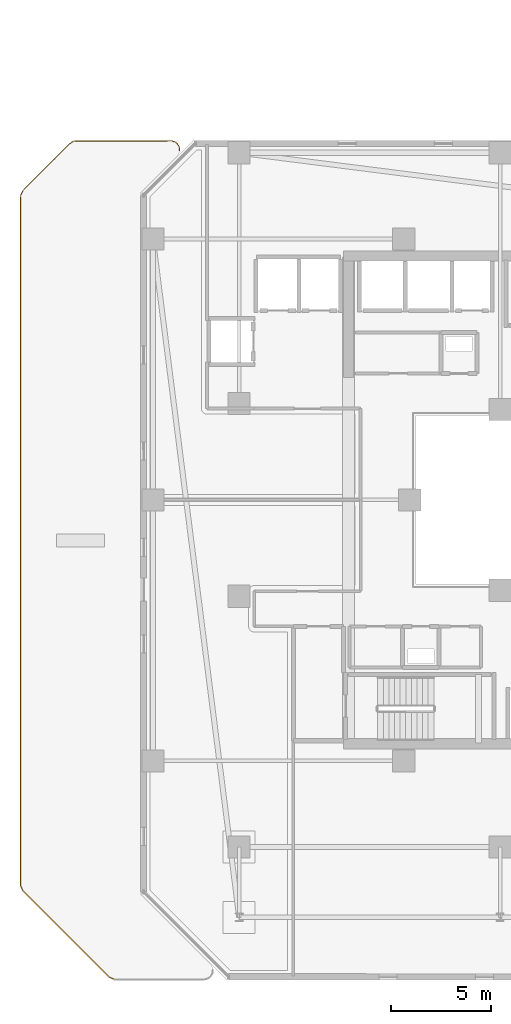
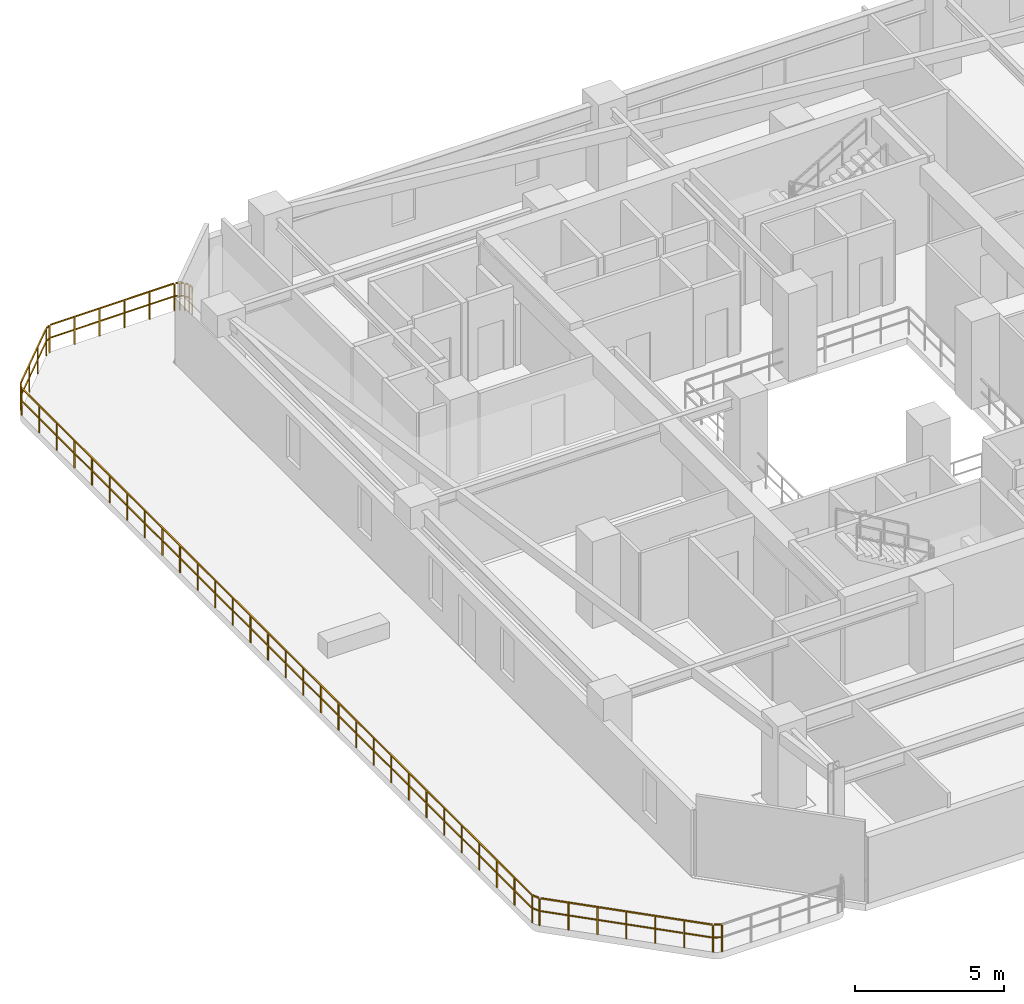
# One storey, part 27 of 30: 1 railing.
"""IFC4 building model written with IfcOpenShell, lengths in metres."""

from ifc_helpers import new_model, si_unit, direction, frame, origin, origin_2d, place, context, subcontext, project, spatial, rectangle, extrude, material, type_object, element, save


model = new_model("IFC4")

# Units and contexts
model_context = context("Model", 3, precision=1e-05, world=origin(), true_north=direction((0.0, 1.0)))
body_context = subcontext(model_context, "Body", "Model", "MODEL_VIEW")
ifc_project = project(units=[si_unit("LENGTHUNIT", "METRE"), si_unit("AREAUNIT", "SQUARE_METRE"), si_unit("VOLUMEUNIT", "CUBIC_METRE"), si_unit("PLANEANGLEUNIT", "RADIAN"), si_unit("MASSUNIT", "GRAM", prefix="KILO")], contexts=[model_context])

# Site, building, storey
site_placement = place(None, origin())
site = spatial("IfcSite", under=ifc_project, at=site_placement, CompositionType="ELEMENT")
building_placement = place(site_placement, origin())
building = spatial("IfcBuilding", under=site, at=building_placement, Name="Thornwick Lancets Civic Towers", CompositionType="ELEMENT")
storey_placement = place(building_placement, frame((0.0, 0.0, 149.10009765625)))
storey = spatial("IfcBuildingStorey", under=building, at=storey_placement, Name="L39", CompositionType="ELEMENT", Elevation=149.10009765625)

# Railing
ifc_material = material(Name="Terracotta-capped laminated glass balustrade S355", Category="masonry")
railing_type = type_object("IfcRailingType", Name="RAIL_TERR_GUARD", PredefinedType="GUARDRAIL", material=ifc_material)
railing_placement = place(storey_placement, frame((6.2802734375, 3.102294921875, 0.0)))
element("IfcRailing", 1, at=railing_placement, inside=storey, type_object=railing_type, Name="L39 Tower A Sky-Garden Guard 1 Part 1", PredefinedType="GUARDRAIL", context=body_context, shape_type="SweptSolid", body=[
    extrude(rectangle(XDim=0.048095703125, YDim=0.048095703125, at=origin_2d()), frame((0.0, 0.0, 1.1259765625), z_axis=(-0.904343633652, 0.426805098696, 0.0), x_axis=(-0.426805098696, -0.904343633652, 0.0)), (0.0, 0.0, 1.0), 0.27197265625),
    extrude(rectangle(XDim=0.0419921875, YDim=0.0419921875, at=origin_2d()), frame((-0.033935546875, 0.01611328125, 0.597900390625), z_axis=(-0.904343633652, 0.426805098696, 0.0), x_axis=(-0.426805098696, -0.904343633652, 0.0)), (0.0, 0.0, 1.0), 0.228271484375),
    extrude(rectangle(XDim=0.048095703125, YDim=0.048095703125, at=origin_2d()), frame((-0.29638671875, 0.151611328125, 1.1259765625), z_axis=(-0.707106781187, 0.707106781187, 0.0), x_axis=(-0.707106781187, -0.707106781187, 0.0)), (0.0, 0.0, 1.0), 5.982421875),
    extrude(rectangle(XDim=0.0419921875, YDim=0.0419921875, at=origin_2d()), frame((-0.30078125, 0.156005859375, 0.597900390625), z_axis=(-0.707106781187, 0.707106781187, 0.0), x_axis=(-0.707106781187, -0.707106781187, 0.0)), (0.0, 0.0, 1.0), 0.9326171875),
    extrude(rectangle(XDim=0.0419921875, YDim=0.0419921875, at=origin_2d()), frame((-1.01318359375, 0.868408203125, 0.597900390625), z_axis=(-0.707106781187, 0.707106781187, 0.0), x_axis=(-0.707106781187, -0.707106781187, 0.0)), (0.0, 0.0, 1.0), 0.9326171875),
    extrude(rectangle(XDim=0.0419921875, YDim=0.0419921875, at=origin_2d()), frame((-1.7255859375, 1.580810546875, 0.597900390625), z_axis=(-0.707106781187, 0.707106781187, 0.0), x_axis=(-0.707106781187, -0.707106781187, 0.0)), (0.0, 0.0, 1.0), 0.9326171875),
    extrude(rectangle(XDim=0.0419921875, YDim=0.0419921875, at=origin_2d()), frame((-2.43798828125, 2.293212890625, 0.597900390625), z_axis=(-0.707106781187, 0.707106781187, 0.0), x_axis=(-0.707106781187, -0.707106781187, 0.0)), (0.0, 0.0, 1.0), 0.9326171875),
    extrude(rectangle(XDim=0.0419921875, YDim=0.0419921875, at=origin_2d()), frame((-3.150390625, 3.005615234375, 0.597900390625), z_axis=(-0.707106781187, 0.707106781187, 0.0), x_axis=(-0.707106781187, -0.707106781187, 0.0)), (0.0, 0.0, 1.0), 0.9326171875),
    extrude(rectangle(XDim=0.0419921875, YDim=0.0419921875, at=origin_2d()), frame((-3.86279296875, 3.718017578125, 0.597900390625), z_axis=(-0.707106781187, 0.707106781187, 0.0), x_axis=(-0.707106781187, -0.707106781187, 0.0)), (0.0, 0.0, 1.0), 0.9326171875),
    extrude(rectangle(XDim=0.048095703125, YDim=0.048095703125, at=origin_2d()), frame((-4.56201171875, 4.43212890625, 1.1259765625), z_axis=(-0.426805098696, 0.904343633652, 0.0), x_axis=(-0.904343633652, -0.426805098696, 0.0)), (0.0, 0.0, 1.0), 0.24072265625),
    extrude(rectangle(XDim=0.0419921875, YDim=0.0419921875, at=origin_2d()), frame((-4.564697265625, 4.437744140625, 0.597900390625), z_axis=(-0.426805098696, 0.904343633652, 0.0), x_axis=(-0.904343633652, -0.426805098696, 0.0)), (0.0, 0.0, 1.0), 0.228271484375),
    extrude(rectangle(XDim=0.048095703125, YDim=0.048095703125, at=origin_2d()), frame((-4.677978515625, 4.709228515625, 1.1259765625), z_axis=(0.0, 1.0, 0.0), x_axis=(-1.0, 0.0, 0.0)), (0.0, 0.0, 1.0), 34.31494140625),
    extrude(rectangle(XDim=0.0419921875, YDim=0.0419921875, at=origin_2d()), frame((-4.677978515625, 4.715576171875, 0.597900390625), z_axis=(0.0, 1.0, 0.0), x_axis=(-1.0, 0.0, 0.0)), (0.0, 0.0, 1.0), 1.1103515625),
    extrude(rectangle(XDim=0.0419921875, YDim=0.0419921875, at=origin_2d()), frame((-4.677978515625, 5.90087890625, 0.597900390625), z_axis=(0.0, 1.0, 0.0), x_axis=(-1.0, 0.0, 0.0)), (0.0, 0.0, 1.0), 1.1103515625),
    extrude(rectangle(XDim=0.0419921875, YDim=0.0419921875, at=origin_2d()), frame((-4.677978515625, 7.08642578125, 0.597900390625), z_axis=(0.0, 1.0, 0.0), x_axis=(-1.0, 0.0, 0.0)), (0.0, 0.0, 1.0), 1.1103515625),
    extrude(rectangle(XDim=0.0419921875, YDim=0.0419921875, at=origin_2d()), frame((-4.677978515625, 8.271728515625, 0.597900390625), z_axis=(0.0, 1.0, 0.0), x_axis=(-1.0, 0.0, 0.0)), (0.0, 0.0, 1.0), 1.1103515625),
    extrude(rectangle(XDim=0.0419921875, YDim=0.0419921875, at=origin_2d()), frame((-4.677978515625, 9.457275390625, 0.597900390625), z_axis=(0.0, 1.0, 0.0), x_axis=(-1.0, 0.0, 0.0)), (0.0, 0.0, 1.0), 1.1103515625),
    extrude(rectangle(XDim=0.0419921875, YDim=0.0419921875, at=origin_2d()), frame((-4.677978515625, 10.642578125, 0.597900390625), z_axis=(0.0, 1.0, 0.0), x_axis=(-1.0, 0.0, 0.0)), (0.0, 0.0, 1.0), 1.1103515625),
    extrude(rectangle(XDim=0.0419921875, YDim=0.0419921875, at=origin_2d()), frame((-4.677978515625, 11.828125, 0.597900390625), z_axis=(0.0, 1.0, 0.0), x_axis=(-1.0, 0.0, 0.0)), (0.0, 0.0, 1.0), 1.1103515625),
    extrude(rectangle(XDim=0.0419921875, YDim=0.0419921875, at=origin_2d()), frame((-4.677978515625, 13.013427734375, 0.597900390625), z_axis=(0.0, 1.0, 0.0), x_axis=(-1.0, 0.0, 0.0)), (0.0, 0.0, 1.0), 1.1103515625),
    extrude(rectangle(XDim=0.0419921875, YDim=0.0419921875, at=origin_2d()), frame((-4.677978515625, 14.198974609375, 0.597900390625), z_axis=(0.0, 1.0, 0.0), x_axis=(-1.0, 0.0, 0.0)), (0.0, 0.0, 1.0), 1.1103515625),
    extrude(rectangle(XDim=0.0419921875, YDim=0.0419921875, at=origin_2d()), frame((-4.677978515625, 15.38427734375, 0.597900390625), z_axis=(0.0, 1.0, 0.0), x_axis=(-1.0, 0.0, 0.0)), (0.0, 0.0, 1.0), 1.1103515625),
    extrude(rectangle(XDim=0.0419921875, YDim=0.0419921875, at=origin_2d()), frame((-4.677978515625, 16.56982421875, 0.597900390625), z_axis=(0.0, 1.0, 0.0), x_axis=(-1.0, 0.0, 0.0)), (0.0, 0.0, 1.0), 1.1103515625),
    extrude(rectangle(XDim=0.0419921875, YDim=0.0419921875, at=origin_2d()), frame((-4.677978515625, 17.755126953125, 0.597900390625), z_axis=(0.0, 1.0, 0.0), x_axis=(-1.0, 0.0, 0.0)), (0.0, 0.0, 1.0), 1.1103515625),
    extrude(rectangle(XDim=0.0419921875, YDim=0.0419921875, at=origin_2d()), frame((-4.677978515625, 18.940673828125, 0.597900390625), z_axis=(0.0, 1.0, 0.0), x_axis=(-1.0, 0.0, 0.0)), (0.0, 0.0, 1.0), 1.1103515625),
    extrude(rectangle(XDim=0.0419921875, YDim=0.0419921875, at=origin_2d()), frame((-4.677978515625, 20.1259765625, 0.597900390625), z_axis=(0.0, 1.0, 0.0), x_axis=(-1.0, 0.0, 0.0)), (0.0, 0.0, 1.0), 1.1103515625),
    extrude(rectangle(XDim=0.0419921875, YDim=0.0419921875, at=origin_2d()), frame((-4.677978515625, 21.3115234375, 0.597900390625), z_axis=(0.0, 1.0, 0.0), x_axis=(-1.0, 0.0, 0.0)), (0.0, 0.0, 1.0), 1.1103515625),
    extrude(rectangle(XDim=0.0419921875, YDim=0.0419921875, at=origin_2d()), frame((-4.677978515625, 22.496826171875, 0.597900390625), z_axis=(0.0, 1.0, 0.0), x_axis=(-1.0, 0.0, 0.0)), (0.0, 0.0, 1.0), 1.1103515625),
    extrude(rectangle(XDim=0.0419921875, YDim=0.0419921875, at=origin_2d()), frame((-4.677978515625, 23.682373046875, 0.597900390625), z_axis=(0.0, 1.0, 0.0), x_axis=(-1.0, 0.0, 0.0)), (0.0, 0.0, 1.0), 1.1103515625),
    extrude(rectangle(XDim=0.0419921875, YDim=0.0419921875, at=origin_2d()), frame((-4.677978515625, 24.86767578125, 0.597900390625), z_axis=(0.0, 1.0, 0.0), x_axis=(-1.0, 0.0, 0.0)), (0.0, 0.0, 1.0), 1.1103515625),
    extrude(rectangle(XDim=0.0419921875, YDim=0.0419921875, at=origin_2d()), frame((-4.677978515625, 26.05322265625, 0.597900390625), z_axis=(0.0, 1.0, 0.0), x_axis=(-1.0, 0.0, 0.0)), (0.0, 0.0, 1.0), 1.1103515625),
    extrude(rectangle(XDim=0.0419921875, YDim=0.0419921875, at=origin_2d()), frame((-4.677978515625, 27.238525390625, 0.597900390625), z_axis=(0.0, 1.0, 0.0), x_axis=(-1.0, 0.0, 0.0)), (0.0, 0.0, 1.0), 1.1103515625),
    extrude(rectangle(XDim=0.0419921875, YDim=0.0419921875, at=origin_2d()), frame((-4.677978515625, 28.424072265625, 0.597900390625), z_axis=(0.0, 1.0, 0.0), x_axis=(-1.0, 0.0, 0.0)), (0.0, 0.0, 1.0), 1.1103515625),
    extrude(rectangle(XDim=0.0419921875, YDim=0.0419921875, at=origin_2d()), frame((-4.677978515625, 29.609375, 0.597900390625), z_axis=(0.0, 1.0, 0.0), x_axis=(-1.0, 0.0, 0.0)), (0.0, 0.0, 1.0), 1.1103515625),
    extrude(rectangle(XDim=0.0419921875, YDim=0.0419921875, at=origin_2d()), frame((-4.677978515625, 30.794921875, 0.597900390625), z_axis=(0.0, 1.0, 0.0), x_axis=(-1.0, 0.0, 0.0)), (0.0, 0.0, 1.0), 1.1103515625),
    extrude(rectangle(XDim=0.0419921875, YDim=0.0419921875, at=origin_2d()), frame((-4.677978515625, 31.980224609375, 0.597900390625), z_axis=(0.0, 1.0, 0.0), x_axis=(-1.0, 0.0, 0.0)), (0.0, 0.0, 1.0), 1.1103515625),
    extrude(rectangle(XDim=0.0419921875, YDim=0.0419921875, at=origin_2d()), frame((-4.677978515625, 33.165771484375, 0.597900390625), z_axis=(0.0, 1.0, 0.0), x_axis=(-1.0, 0.0, 0.0)), (0.0, 0.0, 1.0), 1.1103515625),
    extrude(rectangle(XDim=0.0419921875, YDim=0.0419921875, at=origin_2d()), frame((-4.677978515625, 34.351318359375, 0.597900390625), z_axis=(0.0, 1.0, 0.0), x_axis=(-1.0, 0.0, 0.0)), (0.0, 0.0, 1.0), 1.1103515625),
    extrude(rectangle(XDim=0.0419921875, YDim=0.0419921875, at=origin_2d()), frame((-4.677978515625, 35.53662109375, 0.597900390625), z_axis=(0.0, 1.0, 0.0), x_axis=(-1.0, 0.0, 0.0)), (0.0, 0.0, 1.0), 1.1103515625),
    extrude(rectangle(XDim=0.0419921875, YDim=0.0419921875, at=origin_2d()), frame((-4.677978515625, 36.72216796875, 0.597900390625), z_axis=(0.0, 1.0, 0.0), x_axis=(-1.0, 0.0, 0.0)), (0.0, 0.0, 1.0), 1.1103515625),
    extrude(rectangle(XDim=0.0419921875, YDim=0.0419921875, at=origin_2d()), frame((-4.677978515625, 37.907470703125, 0.597900390625), z_axis=(0.0, 1.0, 0.0), x_axis=(-1.0, 0.0, 0.0)), (0.0, 0.0, 1.0), 1.1103515625),
    extrude(rectangle(XDim=0.048095703125, YDim=0.048095703125, at=origin_2d()), frame((-4.66455078125, 39.083740234375, 1.1259765625), z_axis=(0.426805098696, 0.904343633652, 0.0), x_axis=(-0.904343633652, 0.426805098696, 0.0)), (0.0, 0.0, 1.0), 0.24072265625),
    extrude(rectangle(XDim=0.0419921875, YDim=0.0419921875, at=origin_2d()), frame((-4.661865234375, 39.08935546875, 0.597900390625), z_axis=(0.426805098696, 0.904343633652, 0.0), x_axis=(-0.904343633652, 0.426805098696, 0.0)), (0.0, 0.0, 1.0), 0.228271484375),
    extrude(rectangle(XDim=0.048095703125, YDim=0.048095703125, at=origin_2d()), frame((-4.5263671875, 39.351806640625, 1.1259765625), z_axis=(0.707106781187, 0.707106781187, 0.0), x_axis=(-0.707106781187, 0.707106781187, 0.0)), (0.0, 0.0, 1.0), 3.24169921875),
    extrude(rectangle(XDim=0.0419921875, YDim=0.0419921875, at=origin_2d()), frame((-4.52197265625, 39.356201171875, 0.597900390625), z_axis=(0.707106781187, 0.707106781187, 0.0), x_axis=(-0.707106781187, 0.707106781187, 0.0)), (0.0, 0.0, 1.0), 1.0263671875),
    extrude(rectangle(XDim=0.0419921875, YDim=0.0419921875, at=origin_2d()), frame((-3.7431640625, 40.135009765625, 0.597900390625), z_axis=(0.707106781187, 0.707106781187, 0.0), x_axis=(-0.707106781187, 0.707106781187, 0.0)), (0.0, 0.0, 1.0), 1.0263671875),
    extrude(rectangle(XDim=0.0419921875, YDim=0.0419921875, at=origin_2d()), frame((-2.96435546875, 40.913818359375, 0.597900390625), z_axis=(0.707106781187, 0.707106781187, 0.0), x_axis=(-0.707106781187, 0.707106781187, 0.0)), (0.0, 0.0, 1.0), 1.0263671875),
    extrude(rectangle(XDim=0.048095703125, YDim=0.048095703125, at=origin_2d()), frame((-2.185302734375, 41.68212890625, 1.1259765625), z_axis=(0.858181432178, 0.513346500392, 0.0), x_axis=(-0.513346500392, 0.858181432178, 0.0)), (0.0, 0.0, 1.0), 0.15625),
    extrude(rectangle(XDim=0.0419921875, YDim=0.0419921875, at=origin_2d()), frame((-2.179931640625, 41.685302734375, 0.597900390625), z_axis=(0.858181432178, 0.513346500392, 0.0), x_axis=(-0.513346500392, 0.858181432178, 0.0)), (0.0, 0.0, 1.0), 0.143798828125),
    extrude(rectangle(XDim=0.048095703125, YDim=0.048095703125, at=origin_2d()), frame((-1.9931640625, 41.7783203125, 1.1259765625), z_axis=(0.999993851715, 0.003506641099, 0.0), x_axis=(-0.003506641099, 0.999993851715, 0.0)), (0.0, 0.0, 1.0), 4.81103515625),
    extrude(rectangle(XDim=0.0419921875, YDim=0.0419921875, at=origin_2d()), frame((-1.98681640625, 41.778564453125, 0.597900390625), z_axis=(0.999993851715, 0.003506641099, 0.0), x_axis=(-0.003506641099, 0.999993851715, 0.0)), (0.0, 0.0, 1.0), 0.899658203125),
    extrude(rectangle(XDim=0.0419921875, YDim=0.0419921875, at=origin_2d()), frame((-1.01220703125, 41.781982421875, 0.597900390625), z_axis=(0.999993851715, 0.003506641099, 0.0), x_axis=(-0.003506641099, 0.999993851715, 0.0)), (0.0, 0.0, 1.0), 0.899658203125),
    extrude(rectangle(XDim=0.0419921875, YDim=0.0419921875, at=origin_2d()), frame((-0.03759765625, 41.785400390625, 0.597900390625), z_axis=(0.999993851715, 0.003506641099, 0.0), x_axis=(-0.003506641099, 0.999993851715, 0.0)), (0.0, 0.0, 1.0), 0.899658203125),
    extrude(rectangle(XDim=0.0419921875, YDim=0.0419921875, at=origin_2d()), frame((0.937255859375, 41.788818359375, 0.597900390625), z_axis=(0.999993851715, 0.003506641099, 0.0), x_axis=(-0.003506641099, 0.999993851715, 0.0)), (0.0, 0.0, 1.0), 0.899658203125),
    extrude(rectangle(XDim=0.0419921875, YDim=0.0419921875, at=origin_2d()), frame((1.911865234375, 41.792236328125, 0.597900390625), z_axis=(0.999993851715, 0.003506641099, 0.0), x_axis=(-0.003506641099, 0.999993851715, 0.0)), (0.0, 0.0, 1.0), 0.899658203125),
    extrude(rectangle(XDim=0.048095703125, YDim=0.048095703125, at=origin_2d()), frame((2.879150390625, 41.786376953125, 1.1259765625), z_axis=(0.957211427299, -0.289389501276, 0.0), x_axis=(0.289389501276, 0.957211427299, 0.0)), (0.0, 0.0, 1.0), 0.113037109375),
    extrude(rectangle(XDim=0.0419921875, YDim=0.0419921875, at=origin_2d()), frame((2.885009765625, 41.78466796875, 0.597900390625), z_axis=(0.957211427299, -0.289389501276, 0.0), x_axis=(0.289389501276, 0.957211427299, 0.0)), (0.0, 0.0, 1.0), 0.1005859375),
    extrude(rectangle(XDim=0.048095703125, YDim=0.048095703125, at=origin_2d()), frame((3.041259765625, 41.724853515625, 1.1259765625), z_axis=(0.773213238462, -0.634146109242, 0.0), x_axis=(0.634146109242, 0.773213238462, 0.0)), (0.0, 0.0, 1.0), 0.113037109375),
    extrude(rectangle(XDim=0.0419921875, YDim=0.0419921875, at=origin_2d()), frame((3.046142578125, 41.720947265625, 0.597900390625), z_axis=(0.773213238462, -0.634146109242, 0.0), x_axis=(0.634146109242, 0.773213238462, 0.0)), (0.0, 0.0, 1.0), 0.1005859375),
    extrude(rectangle(XDim=0.048095703125, YDim=0.048095703125, at=origin_2d()), frame((3.16748046875, 41.605712890625, 1.1259765625), z_axis=(0.470948722639, -0.882160586654, 0.0), x_axis=(0.882160586654, 0.470948722639, 0.0)), (0.0, 0.0, 1.0), 0.11328125),
    extrude(rectangle(XDim=0.0419921875, YDim=0.0419921875, at=origin_2d()), frame((3.17041015625, 41.600341796875, 0.597900390625), z_axis=(0.470948722639, -0.882160586654, 0.0), x_axis=(0.882160586654, 0.470948722639, 0.0)), (0.0, 0.0, 1.0), 0.100830078125),
    extrude(rectangle(XDim=0.048095703125, YDim=0.048095703125, at=origin_2d()), frame((3.238525390625, 41.447265625, 1.1259765625), z_axis=(0.094101126617, -0.99556264392, 0.0), x_axis=(0.99556264392, 0.094101126617, 0.0)), (0.0, 0.0, 1.0), 0.147705078125),
    extrude(rectangle(XDim=0.0419921875, YDim=0.0419921875, at=origin_2d()), frame((3.239013671875, 41.44091796875, 0.597900390625), z_axis=(0.094101126617, -0.99556264392, 0.0), x_axis=(0.99556264392, 0.094101126617, 0.0)), (0.0, 0.0, 1.0), 0.10400390625),
    extrude(rectangle(XDim=0.0419921875, YDim=0.0419921875, at=origin_2d()), origin(), (0.0, 0.0, 1.0), 1.095703125),
    extrude(rectangle(XDim=0.0419921875, YDim=0.0419921875, at=origin_2d()), frame((-0.274169921875, 0.12939453125, 0.0)), (0.0, 0.0, 1.0), 1.095703125),
    extrude(rectangle(XDim=0.0419921875, YDim=0.0419921875, at=origin_2d()), frame((-0.986572265625, 0.841796875, 0.0)), (0.0, 0.0, 1.0), 1.095703125),
    extrude(rectangle(XDim=0.0419921875, YDim=0.0419921875, at=origin_2d()), frame((-1.698974609375, 1.55419921875, 0.0)), (0.0, 0.0, 1.0), 1.095703125),
    extrude(rectangle(XDim=0.0419921875, YDim=0.0419921875, at=origin_2d()), frame((-2.411376953125, 2.2666015625, 0.0)), (0.0, 0.0, 1.0), 1.095703125),
    extrude(rectangle(XDim=0.0419921875, YDim=0.0419921875, at=origin_2d()), frame((-3.123779296875, 2.97900390625, 0.0)), (0.0, 0.0, 1.0), 1.095703125),
    extrude(rectangle(XDim=0.0419921875, YDim=0.0419921875, at=origin_2d()), frame((-3.836181640625, 3.69140625, 0.0)), (0.0, 0.0, 1.0), 1.095703125),
    extrude(rectangle(XDim=0.0419921875, YDim=0.0419921875, at=origin_2d()), frame((-4.548583984375, 4.40380859375, 0.0)), (0.0, 0.0, 1.0), 1.095703125),
    extrude(rectangle(XDim=0.0419921875, YDim=0.0419921875, at=origin_2d()), frame((-4.677978515625, 4.677978515625, 0.0)), (0.0, 0.0, 1.0), 1.095703125),
    extrude(rectangle(XDim=0.0419921875, YDim=0.0419921875, at=origin_2d()), frame((-4.677978515625, 5.863525390625, 0.0)), (0.0, 0.0, 1.0), 1.095703125),
    extrude(rectangle(XDim=0.0419921875, YDim=0.0419921875, at=origin_2d()), frame((-4.677978515625, 7.048828125, 0.0)), (0.0, 0.0, 1.0), 1.095703125),
    extrude(rectangle(XDim=0.0419921875, YDim=0.0419921875, at=origin_2d()), frame((-4.677978515625, 8.234375, 0.0)), (0.0, 0.0, 1.0), 1.095703125),
    extrude(rectangle(XDim=0.0419921875, YDim=0.0419921875, at=origin_2d()), frame((-4.677978515625, 9.419677734375, 0.0)), (0.0, 0.0, 1.0), 1.095703125),
    extrude(rectangle(XDim=0.0419921875, YDim=0.0419921875, at=origin_2d()), frame((-4.677978515625, 10.605224609375, 0.0)), (0.0, 0.0, 1.0), 1.095703125),
    extrude(rectangle(XDim=0.0419921875, YDim=0.0419921875, at=origin_2d()), frame((-4.677978515625, 11.79052734375, 0.0)), (0.0, 0.0, 1.0), 1.095703125),
    extrude(rectangle(XDim=0.0419921875, YDim=0.0419921875, at=origin_2d()), frame((-4.677978515625, 12.97607421875, 0.0)), (0.0, 0.0, 1.0), 1.095703125),
    extrude(rectangle(XDim=0.0419921875, YDim=0.0419921875, at=origin_2d()), frame((-4.677978515625, 14.161376953125, 0.0)), (0.0, 0.0, 1.0), 1.095703125),
    extrude(rectangle(XDim=0.0419921875, YDim=0.0419921875, at=origin_2d()), frame((-4.677978515625, 15.346923828125, 0.0)), (0.0, 0.0, 1.0), 1.095703125),
    extrude(rectangle(XDim=0.0419921875, YDim=0.0419921875, at=origin_2d()), frame((-4.677978515625, 16.5322265625, 0.0)), (0.0, 0.0, 1.0), 1.095703125),
    extrude(rectangle(XDim=0.0419921875, YDim=0.0419921875, at=origin_2d()), frame((-4.677978515625, 17.7177734375, 0.0)), (0.0, 0.0, 1.0), 1.095703125),
    extrude(rectangle(XDim=0.0419921875, YDim=0.0419921875, at=origin_2d()), frame((-4.677978515625, 18.903076171875, 0.0)), (0.0, 0.0, 1.0), 1.095703125),
    extrude(rectangle(XDim=0.0419921875, YDim=0.0419921875, at=origin_2d()), frame((-4.677978515625, 20.088623046875, 0.0)), (0.0, 0.0, 1.0), 1.095703125),
    extrude(rectangle(XDim=0.0419921875, YDim=0.0419921875, at=origin_2d()), frame((-4.677978515625, 21.27392578125, 0.0)), (0.0, 0.0, 1.0), 1.095703125),
    extrude(rectangle(XDim=0.0419921875, YDim=0.0419921875, at=origin_2d()), frame((-4.677978515625, 22.45947265625, 0.0)), (0.0, 0.0, 1.0), 1.095703125),
    extrude(rectangle(XDim=0.0419921875, YDim=0.0419921875, at=origin_2d()), frame((-4.677978515625, 23.644775390625, 0.0)), (0.0, 0.0, 1.0), 1.095703125),
    extrude(rectangle(XDim=0.0419921875, YDim=0.0419921875, at=origin_2d()), frame((-4.677978515625, 24.830322265625, 0.0)), (0.0, 0.0, 1.0), 1.095703125),
    extrude(rectangle(XDim=0.0419921875, YDim=0.0419921875, at=origin_2d()), frame((-4.677978515625, 26.015625, 0.0)), (0.0, 0.0, 1.0), 1.095703125),
    extrude(rectangle(XDim=0.0419921875, YDim=0.0419921875, at=origin_2d()), frame((-4.677978515625, 27.201171875, 0.0)), (0.0, 0.0, 1.0), 1.095703125),
    extrude(rectangle(XDim=0.0419921875, YDim=0.0419921875, at=origin_2d()), frame((-4.677978515625, 28.386474609375, 0.0)), (0.0, 0.0, 1.0), 1.095703125),
    extrude(rectangle(XDim=0.0419921875, YDim=0.0419921875, at=origin_2d()), frame((-4.677978515625, 29.572021484375, 0.0)), (0.0, 0.0, 1.0), 1.095703125),
    extrude(rectangle(XDim=0.0419921875, YDim=0.0419921875, at=origin_2d()), frame((-4.677978515625, 30.75732421875, 0.0)), (0.0, 0.0, 1.0), 1.095703125),
    extrude(rectangle(XDim=0.0419921875, YDim=0.0419921875, at=origin_2d()), frame((-4.677978515625, 31.94287109375, 0.0)), (0.0, 0.0, 1.0), 1.095703125),
    extrude(rectangle(XDim=0.0419921875, YDim=0.0419921875, at=origin_2d()), frame((-4.677978515625, 33.128173828125, 0.0)), (0.0, 0.0, 1.0), 1.095703125),
    extrude(rectangle(XDim=0.0419921875, YDim=0.0419921875, at=origin_2d()), frame((-4.677978515625, 34.313720703125, 0.0)), (0.0, 0.0, 1.0), 1.095703125),
    extrude(rectangle(XDim=0.0419921875, YDim=0.0419921875, at=origin_2d()), frame((-4.677978515625, 35.4990234375, 0.0)), (0.0, 0.0, 1.0), 1.095703125),
    extrude(rectangle(XDim=0.0419921875, YDim=0.0419921875, at=origin_2d()), frame((-4.677978515625, 36.6845703125, 0.0)), (0.0, 0.0, 1.0), 1.095703125),
    extrude(rectangle(XDim=0.0419921875, YDim=0.0419921875, at=origin_2d()), frame((-4.677978515625, 37.869873046875, 0.0)), (0.0, 0.0, 1.0), 1.095703125),
    extrude(rectangle(XDim=0.0419921875, YDim=0.0419921875, at=origin_2d()), frame((-4.677978515625, 39.055419921875, 0.0)), (0.0, 0.0, 1.0), 1.095703125),
    extrude(rectangle(XDim=0.0419921875, YDim=0.0419921875, at=origin_2d()), frame((-4.548583984375, 39.32958984375, 0.0)), (0.0, 0.0, 1.0), 1.095703125),
    extrude(rectangle(XDim=0.0419921875, YDim=0.0419921875, at=origin_2d()), frame((-3.769775390625, 40.1083984375, 0.0)), (0.0, 0.0, 1.0), 1.095703125),
    extrude(rectangle(XDim=0.0419921875, YDim=0.0419921875, at=origin_2d()), frame((-2.990966796875, 40.88720703125, 0.0)), (0.0, 0.0, 1.0), 1.095703125),
    extrude(rectangle(XDim=0.0419921875, YDim=0.0419921875, at=origin_2d()), frame((-2.212158203125, 41.666015625, 0.0)), (0.0, 0.0, 1.0), 1.095703125),
    extrude(rectangle(XDim=0.0419921875, YDim=0.0419921875, at=origin_2d()), frame((-2.0244140625, 41.7783203125, 0.0)), (0.0, 0.0, 1.0), 1.095703125),
    extrude(rectangle(XDim=0.0419921875, YDim=0.0419921875, at=origin_2d()), frame((-1.0498046875, 41.78173828125, 0.0)), (0.0, 0.0, 1.0), 1.095703125),
    extrude(rectangle(XDim=0.0419921875, YDim=0.0419921875, at=origin_2d()), frame((-0.074951171875, 41.78515625, 0.0)), (0.0, 0.0, 1.0), 1.095703125),
    extrude(rectangle(XDim=0.0419921875, YDim=0.0419921875, at=origin_2d()), frame((0.899658203125, 41.78857421875, 0.0)), (0.0, 0.0, 1.0), 1.095703125),
    extrude(rectangle(XDim=0.0419921875, YDim=0.0419921875, at=origin_2d()), frame((1.87451171875, 41.7919921875, 0.0)), (0.0, 0.0, 1.0), 1.095703125),
    extrude(rectangle(XDim=0.0419921875, YDim=0.0419921875, at=origin_2d()), frame((2.84912109375, 41.79541015625, 0.0)), (0.0, 0.0, 1.0), 1.095703125),
    extrude(rectangle(XDim=0.0419921875, YDim=0.0419921875, at=origin_2d()), frame((3.01708984375, 41.74462890625, 0.0)), (0.0, 0.0, 1.0), 1.095703125),
    extrude(rectangle(XDim=0.0419921875, YDim=0.0419921875, at=origin_2d()), frame((3.15283203125, 41.63330078125, 0.0)), (0.0, 0.0, 1.0), 1.095703125),
    extrude(rectangle(XDim=0.0419921875, YDim=0.0419921875, at=origin_2d()), frame((3.235595703125, 41.478271484375, 0.0)), (0.0, 0.0, 1.0), 1.095703125),
    extrude(rectangle(XDim=0.0419921875, YDim=0.0419921875, at=origin_2d()), frame((3.25244140625, 41.300048828125, 0.0)), (0.0, 0.0, 1.0), 1.095703125),
])

save(model, "model.ifc")
